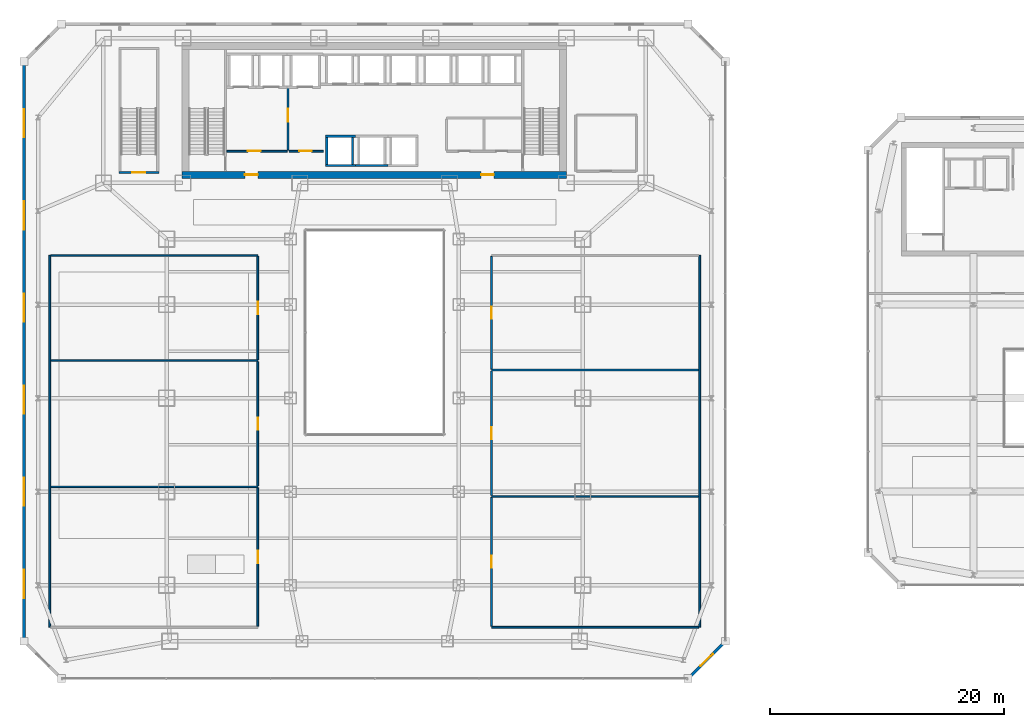
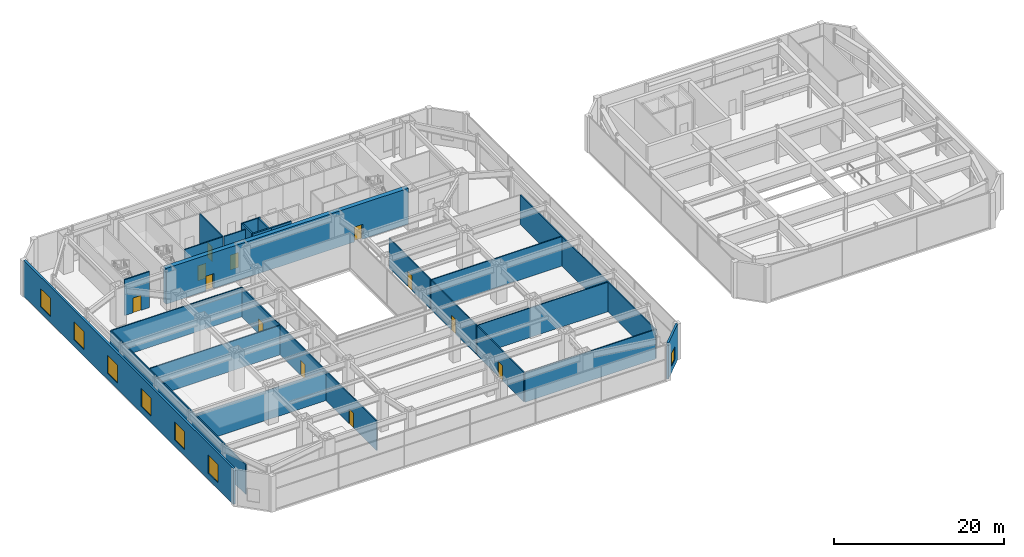
# One storey, part 43 of 53: 26 walls, 12 doors, 7 windows, 19 openings.
"""IFC4 building model written with IfcOpenShell, lengths in metres."""

from ifc_helpers import new_model, si_unit, direction, frame, frame_2d, origin, place, context, subcontext, project, spatial, rectangle, extrude, material, layer, layer_set, type_object, element, fill, save


model = new_model("IFC4")

# Units and contexts
model_context = context("Model", 3, precision=1e-05, world=origin(), true_north=direction((0.0, 1.0)))
body_context = subcontext(model_context, "Body", "Model", "MODEL_VIEW")
ifc_project = project(units=[si_unit("LENGTHUNIT", "METRE"), si_unit("AREAUNIT", "SQUARE_METRE"), si_unit("VOLUMEUNIT", "CUBIC_METRE"), si_unit("PLANEANGLEUNIT", "RADIAN"), si_unit("MASSUNIT", "GRAM", prefix="KILO")], contexts=[model_context])

# Site, building, storey
site_placement = place(None, origin())
site = spatial("IfcSite", under=ifc_project, at=site_placement, CompositionType="ELEMENT")
building_placement = place(site_placement, origin())
building = spatial("IfcBuilding", under=site, at=building_placement, Name="Saevonmaru Cultural Tower", CompositionType="ELEMENT")
storey_placement = place(building_placement, frame((0.0, 0.0, 22.199951171875)))
storey = spatial("IfcBuildingStorey", under=building, at=storey_placement, Name="L04", CompositionType="ELEMENT", Elevation=22.199951171875)

# Wall, openings, doors
ifc_material_1 = material(Name="Concrete C60/75", Category="concrete")
ifc_layer_1 = layer(ifc_material_1, 0.60009765625, Name="Concrete C60/75")
ifc_layer_set_1 = layer_set([ifc_layer_1], Name="Concrete C60/75")
wall_type_1 = type_object("IfcWallType", Name="WL-CORE-600", PredefinedType="SHEAR", material=ifc_layer_set_1)
wall_1_placement = place(storey_placement, frame((13.5, 43.10009765625, 0.0), z_axis=(0.0, 0.0, 1.0), x_axis=(1.0, 0.0, 0.0)))
wall_1 = element("IfcWall", 1, at=wall_1_placement, inside=storey, type_object=wall_type_1, Name="L04 Tower RC core shear wall S", PredefinedType="SHEAR", context=body_context, shape_type="SweptSolid", body=[
    extrude(rectangle(XDim=32.89990234375, YDim=0.60009765625, at=frame_2d((16.449951171875, 0.0))), origin(), (0.0, 0.0, 1.0), 5.150146484375),
])
opening_1_placement = place(wall_1_placement, frame((5.39990234375, 0.0, 0.0)))
opening_1 = element("IfcOpeningElement", 2, at=opening_1_placement, cuts=wall_1, Name="Opening FD-2", PredefinedType="OPENING", context=body_context, shape_type="SweptSolid", body=[
    extrude(rectangle(XDim=1.10009765625, YDim=2.14990234375, at=frame_2d((0.550048828125, 1.074951171875))), frame((0.0, 0.31005859375, 0.0), z_axis=(0.0, -1.0, 0.0), x_axis=(1.0, 0.0, 0.0)), (0.0, 0.0, 1.0), 0.6201171875),
])
opening_2_placement = place(wall_1_placement, frame((25.60009765625, 0.0, 0.0)))
opening_2 = element("IfcOpeningElement", 3, at=opening_2_placement, cuts=wall_1, Name="Opening FD-2", PredefinedType="OPENING", context=body_context, shape_type="SweptSolid", body=[
    extrude(rectangle(XDim=1.10009765625, YDim=2.14990234375, at=frame_2d((0.550048828125, 1.074951171875))), frame((0.0, 0.31005859375, 0.0), z_axis=(0.0, -1.0, 0.0), x_axis=(1.0, 0.0, 0.0)), (0.0, 0.0, 1.0), 0.6201171875),
])
ifc_material_2 = material(Name="Satin Bronze Anodised Aluminium", Category="aluminium")
door_type_1 = type_object("IfcDoorType", Name="DR-FD60-1100", OperationType="SINGLE_SWING_LEFT", PredefinedType="DOOR", material=ifc_material_2)
door_1_placement = place(opening_1_placement, origin())
door_1 = element("IfcDoor", 4, at=door_1_placement, inside=storey, type_object=door_type_1, Name="L04 Core West Lobby Fire Door", OperationType="SINGLE_SWING_LEFT", OverallHeight=2.14990234375, OverallWidth=1.10009765625, PredefinedType="DOOR", context=body_context, shape_type="SweptSolid", body=[
    extrude(rectangle(XDim=1.10009765625, YDim=2.14990234375, at=frame_2d((0.550048828125, 1.074951171875))), frame((0.0, 0.02490234375, 0.0), z_axis=(0.0, -1.0, 0.0), x_axis=(1.0, 0.0, 0.0)), (0.0, 0.0, 1.0), 0.050048828125),
])
fill(opening_1, door_1)
door_2_placement = place(opening_2_placement, origin())
door_2 = element("IfcDoor", 5, at=door_2_placement, inside=storey, type_object=door_type_1, Name="L04 Core East Lobby Fire Door", OperationType="SINGLE_SWING_LEFT", OverallHeight=2.14990234375, OverallWidth=1.10009765625, PredefinedType="DOOR", context=body_context, shape_type="SweptSolid", body=[
    extrude(rectangle(XDim=1.10009765625, YDim=2.14990234375, at=frame_2d((0.550048828125, 1.074951171875))), frame((0.0, 0.02490234375, 0.0), z_axis=(0.0, -1.0, 0.0), x_axis=(1.0, 0.0, 0.0)), (0.0, 0.0, 1.0), 0.050048828125),
])
fill(opening_2, door_2)

# Wall, opening, door
ifc_material_3 = material(Name="Gypsum Fireboard Partition", Category="gypsum")
ifc_layer_2 = layer(ifc_material_3, 0.14990234375, Name="Gypsum Fireboard Partition")
ifc_layer_set_2 = layer_set([ifc_layer_2], Name="Gypsum Fireboard Partition")
wall_type_2 = type_object("IfcWallType", Name="WL-CORE-PART-150", PredefinedType="PARTITIONING", material=ifc_layer_set_2)
wall_2_placement = place(storey_placement, frame((17.360107421875, 45.1201171875, 0.0), z_axis=(0.0, 0.0, 1.0), x_axis=(1.0, 0.0, 0.0)))
wall_2 = element("IfcWall", 6, at=wall_2_placement, inside=storey, type_object=wall_type_2, Name="L04 Firefighting Lift Lobby South Wall", PredefinedType="PARTITIONING", context=body_context, shape_type="SweptSolid", body=[
    extrude(rectangle(XDim=5.139892578125, YDim=0.14990234375, at=frame_2d((2.56982421875, 0.0))), origin(), (0.0, 0.0, 1.0), 5.150146484375),
])
opening_3_placement = place(wall_2_placement, frame((1.800048828125, 0.0, 0.0)))
opening_3 = element("IfcOpeningElement", 7, at=opening_3_placement, cuts=wall_2, Name="Opening FD-2", PredefinedType="OPENING", context=body_context, shape_type="SweptSolid", body=[
    extrude(rectangle(XDim=1.10009765625, YDim=2.14990234375, at=frame_2d((0.550048828125, 1.074951171875))), frame((0.0, 0.0849609375, 0.0), z_axis=(0.0, -1.0, 0.0), x_axis=(1.0, 0.0, 0.0)), (0.0, 0.0, 1.0), 0.169921875),
])
door_3_placement = place(opening_3_placement, origin())
door_3 = element("IfcDoor", 8, at=door_3_placement, inside=storey, type_object=door_type_1, Name="L04 Firefighting Lift Lobby South Door", OperationType="SINGLE_SWING_LEFT", OverallHeight=2.14990234375, OverallWidth=1.10009765625, PredefinedType="DOOR", context=body_context, shape_type="SweptSolid", body=[
    extrude(rectangle(XDim=1.10009765625, YDim=2.14990234375, at=frame_2d((0.550048828125, 1.074951171875))), frame((0.0, 0.02490234375, 0.0), z_axis=(0.0, -1.0, 0.0), x_axis=(1.0, 0.0, 0.0)), (0.0, 0.0, 1.0), 0.050048828125),
])
fill(opening_3, door_3)

wall_3_placement = place(storey_placement, frame((22.580078125, 50.550048828125, 0.0), z_axis=(0.0, 0.0, 1.0), x_axis=(0.0, -1.0, 0.0)))
wall_3 = element("IfcWall", 9, at=wall_3_placement, inside=storey, type_object=wall_type_2, Name="L04 Firefighting Lift Lobby East Wall", PredefinedType="PARTITIONING", context=body_context, shape_type="SweptSolid", body=[
    extrude(rectangle(XDim=5.330078125, YDim=0.14990234375, at=frame_2d((2.6650390625, 0.0))), origin(), (0.0, 0.0, 1.0), 5.150146484375),
])
opening_4_placement = place(wall_3_placement, frame((1.800048828125, 0.0, 0.0)))
opening_4 = element("IfcOpeningElement", 10, at=opening_4_placement, cuts=wall_3, Name="Opening FD-2", PredefinedType="OPENING", context=body_context, shape_type="SweptSolid", body=[
    extrude(rectangle(XDim=1.10009765625, YDim=2.14990234375, at=frame_2d((0.550048828125, 1.074951171875))), frame((0.0, 0.0849609375, 0.0), z_axis=(0.0, -1.0, 0.0), x_axis=(1.0, 0.0, 0.0)), (0.0, 0.0, 1.0), 0.169921875),
])
door_4_placement = place(opening_4_placement, origin())
door_4 = element("IfcDoor", 11, at=door_4_placement, inside=storey, type_object=door_type_1, Name="L04 Firefighting Lift Lobby East Door", OperationType="SINGLE_SWING_LEFT", OverallHeight=2.14990234375, OverallWidth=1.10009765625, PredefinedType="DOOR", context=body_context, shape_type="SweptSolid", body=[
    extrude(rectangle(XDim=1.10009765625, YDim=2.14990234375, at=frame_2d((0.550048828125, 1.074951171875))), frame((0.0, 0.02490234375, 0.0), z_axis=(0.0, -1.0, 0.0), x_axis=(1.0, 0.0, 0.0)), (0.0, 0.0, 1.0), 0.050048828125),
])
fill(opening_4, door_4)

wall_4_placement = place(storey_placement, frame((22.679931640625, 45.1201171875, 0.0), z_axis=(0.0, 0.0, 1.0), x_axis=(1.0, 0.0, 0.0)))
wall_4 = element("IfcWall", 12, at=wall_4_placement, inside=storey, type_object=wall_type_2, Name="L04 Service Lift Vestibule Wall", PredefinedType="PARTITIONING", context=body_context, shape_type="SweptSolid", body=[
    extrude(rectangle(XDim=2.920166015625, YDim=0.14990234375, at=frame_2d((1.4599609375, 0.0))), origin(), (0.0, 0.0, 1.0), 5.150146484375),
])
opening_5_placement = place(wall_4_placement, frame((0.85009765625, 0.0, 0.0)))
opening_5 = element("IfcOpeningElement", 13, at=opening_5_placement, cuts=wall_4, Name="Opening FD-2", PredefinedType="OPENING", context=body_context, shape_type="SweptSolid", body=[
    extrude(rectangle(XDim=1.10009765625, YDim=2.14990234375, at=frame_2d((0.550048828125, 1.074951171875))), frame((0.0, 0.0849609375, 0.0), z_axis=(0.0, -1.0, 0.0), x_axis=(1.0, 0.0, 0.0)), (0.0, 0.0, 1.0), 0.169921875),
])
door_5_placement = place(opening_5_placement, origin())
door_5 = element("IfcDoor", 14, at=door_5_placement, inside=storey, type_object=door_type_1, Name="L04 Service Lift Vestibule Door", OperationType="SINGLE_SWING_LEFT", OverallHeight=2.14990234375, OverallWidth=1.10009765625, PredefinedType="DOOR", context=body_context, shape_type="SweptSolid", body=[
    extrude(rectangle(XDim=1.10009765625, YDim=2.14990234375, at=frame_2d((0.550048828125, 1.074951171875))), frame((0.0, 0.02490234375, 0.0), z_axis=(0.0, -1.0, 0.0), x_axis=(1.0, 0.0, 0.0)), (0.0, 0.0, 1.0), 0.050048828125),
])
fill(opening_5, door_5)

# Wall, opening, window
ifc_material_4 = material(Name="Granite-Clad Precast Concrete C40/50", Category="masonry")
ifc_layer_3 = layer(ifc_material_4, 0.260009765625, Name="Granite-Clad Precast Concrete C40/50")
ifc_layer_set_3 = layer_set([ifc_layer_3], Name="Granite-Clad Precast Concrete C40/50")
wall_type_3 = type_object("IfcWallType", Name="WL-EXT-SPANDREL-260", PredefinedType="STANDARD", material=ifc_layer_set_3)
wall_5_placement = place(storey_placement, frame((56.9130859375, 0.113037109375, 0.0), z_axis=(0.0, 0.0, 1.0), x_axis=(0.707106781187, 0.707106781187, 0.0)))
wall_5 = element("IfcWall", 15, at=wall_5_placement, inside=storey, type_object=wall_type_3, Name="L04 Podium Bronze-Granite Exterior Wall E3", PredefinedType="STANDARD", context=body_context, shape_type="SweptSolid", body=[
    extrude(rectangle(XDim=4.205810546875, YDim=0.260009765625, at=frame_2d((2.10302734375, 0.0))), origin(), (0.0, 0.0, 1.0), 5.150146484375),
])
opening_6_placement = place(wall_5_placement, frame((1.35302734375, 0.0, 0.89990234375)))
opening_6 = element("IfcOpeningElement", 16, at=opening_6_placement, cuts=wall_5, Name="Opening W-2B", PredefinedType="OPENING", context=body_context, shape_type="SweptSolid", body=[
    extrude(rectangle(XDim=1.5, YDim=1.85009765625, at=frame_2d((0.75, 0.925048828125))), frame((0.0, 0.14013671875, 0.0), z_axis=(0.0, -1.0, 0.0), x_axis=(1.0, 0.0, 0.0)), (0.0, 0.0, 1.0), 0.280029296875),
])
window_type_1 = type_object("IfcWindowType", Name="WN-DECO-1500x1850", PartitioningType="SINGLE_PANEL", PredefinedType="WINDOW", material=ifc_material_2)
window_1_placement = place(opening_6_placement, origin())
window_1 = element("IfcWindow", 17, at=window_1_placement, inside=storey, type_object=window_type_1, Name="L04 Chamfer Bay Window E3", OverallHeight=1.85009765625, OverallWidth=1.5, PartitioningType="SINGLE_PANEL", PredefinedType="WINDOW", context=body_context, shape_type="SweptSolid", body=[
    extrude(rectangle(XDim=1.5, YDim=1.85009765625, at=frame_2d((0.75, 0.925048828125))), frame((0.0, 0.030029296875, 0.0), z_axis=(0.0, -1.0, 0.0), x_axis=(1.0, 0.0, 0.0)), (0.0, 0.0, 1.0), 0.06005859375),
])
fill(opening_6, window_1)

# Wall, openings, windows
ifc_layer_4 = layer(ifc_material_4, 0.280029296875, Name="Granite-Clad Precast Concrete C40/50")
ifc_layer_set_4 = layer_set([ifc_layer_4], Name="Granite-Clad Precast Concrete C40/50")
wall_type_4 = type_object("IfcWallType", Name="WL-EXT-SPANDREL-280", PredefinedType="STANDARD", material=ifc_layer_set_4)
wall_6_placement = place(storey_placement, frame((0.0, 52.639892578125, 0.0), z_axis=(0.0, 0.0, 1.0), x_axis=(0.0, -1.0, 0.0)))
wall_6 = element("IfcWall", 18, at=wall_6_placement, inside=storey, type_object=wall_type_4, Name="L04 Podium Bronze-Granite Exterior Wall E8", PredefinedType="STANDARD", context=body_context, shape_type="SweptSolid", body=[
    extrude(rectangle(XDim=49.27978515625, YDim=0.280029296875, at=frame_2d((24.639892578125, 0.0))), origin(), (0.0, 0.0, 1.0), 5.150146484375),
])
opening_7_placement = place(wall_6_placement, frame((3.93994140625, 0.0, 0.89990234375)))
opening_7 = element("IfcOpeningElement", 19, at=opening_7_placement, cuts=wall_6, Name="Opening W-1", PredefinedType="OPENING", context=body_context, shape_type="SweptSolid", body=[
    extrude(rectangle(XDim=2.39990234375, YDim=2.60009765625, at=frame_2d((1.199951171875, 1.300048828125))), frame((0.0, 0.14990234375, 0.0), z_axis=(0.0, -1.0, 0.0), x_axis=(1.0, 0.0, 0.0)), (0.0, 0.0, 1.0), 0.300048828125),
])
opening_8_placement = place(wall_6_placement, frame((11.820068359375, 0.0, 0.89990234375)))
opening_8 = element("IfcOpeningElement", 20, at=opening_8_placement, cuts=wall_6, Name="Opening W-1", PredefinedType="OPENING", context=body_context, shape_type="SweptSolid", body=[
    extrude(rectangle(XDim=2.39990234375, YDim=2.60009765625, at=frame_2d((1.199951171875, 1.300048828125))), frame((0.0, 0.14990234375, 0.0), z_axis=(0.0, -1.0, 0.0), x_axis=(1.0, 0.0, 0.0)), (0.0, 0.0, 1.0), 0.300048828125),
])
opening_9_placement = place(wall_6_placement, frame((19.699951171875, 0.0, 0.89990234375)))
opening_9 = element("IfcOpeningElement", 21, at=opening_9_placement, cuts=wall_6, Name="Opening W-1", PredefinedType="OPENING", context=body_context, shape_type="SweptSolid", body=[
    extrude(rectangle(XDim=2.39990234375, YDim=2.60009765625, at=frame_2d((1.199951171875, 1.300048828125))), frame((0.0, 0.14990234375, 0.0), z_axis=(0.0, -1.0, 0.0), x_axis=(1.0, 0.0, 0.0)), (0.0, 0.0, 1.0), 0.300048828125),
])
opening_10_placement = place(wall_6_placement, frame((27.580078125, 0.0, 0.89990234375)))
opening_10 = element("IfcOpeningElement", 22, at=opening_10_placement, cuts=wall_6, Name="Opening W-1", PredefinedType="OPENING", context=body_context, shape_type="SweptSolid", body=[
    extrude(rectangle(XDim=2.39990234375, YDim=2.60009765625, at=frame_2d((1.199951171875, 1.300048828125))), frame((0.0, 0.14990234375, 0.0), z_axis=(0.0, -1.0, 0.0), x_axis=(1.0, 0.0, 0.0)), (0.0, 0.0, 1.0), 0.300048828125),
])
opening_11_placement = place(wall_6_placement, frame((35.4599609375, 0.0, 0.89990234375)))
opening_11 = element("IfcOpeningElement", 23, at=opening_11_placement, cuts=wall_6, Name="Opening W-1", PredefinedType="OPENING", context=body_context, shape_type="SweptSolid", body=[
    extrude(rectangle(XDim=2.39990234375, YDim=2.60009765625, at=frame_2d((1.199951171875, 1.300048828125))), frame((0.0, 0.14990234375, 0.0), z_axis=(0.0, -1.0, 0.0), x_axis=(1.0, 0.0, 0.0)), (0.0, 0.0, 1.0), 0.300048828125),
])
opening_12_placement = place(wall_6_placement, frame((43.340087890625, 0.0, 0.89990234375)))
opening_12 = element("IfcOpeningElement", 24, at=opening_12_placement, cuts=wall_6, Name="Opening W-1", PredefinedType="OPENING", context=body_context, shape_type="SweptSolid", body=[
    extrude(rectangle(XDim=2.39990234375, YDim=2.60009765625, at=frame_2d((1.199951171875, 1.300048828125))), frame((0.0, 0.14990234375, 0.0), z_axis=(0.0, -1.0, 0.0), x_axis=(1.0, 0.0, 0.0)), (0.0, 0.0, 1.0), 0.300048828125),
])
window_type_2 = type_object("IfcWindowType", Name="WN-DECO-2400x2600", PartitioningType="DOUBLE_PANEL_VERTICAL", PredefinedType="WINDOW", material=ifc_material_2)
window_2_placement = place(opening_7_placement, origin())
window_2 = element("IfcWindow", 25, at=window_2_placement, inside=storey, type_object=window_type_2, Name="L04 Art Deco Bronze Window E8-1", OverallHeight=2.60009765625, OverallWidth=2.39990234375, PartitioningType="DOUBLE_PANEL_VERTICAL", PredefinedType="WINDOW", context=body_context, shape_type="SweptSolid", body=[
    extrude(rectangle(XDim=2.39990234375, YDim=2.60009765625, at=frame_2d((1.199951171875, 1.300048828125))), frame((0.0, 0.030029296875, 0.0), z_axis=(0.0, -1.0, 0.0), x_axis=(1.0, 0.0, 0.0)), (0.0, 0.0, 1.0), 0.06005859375),
])
fill(opening_7, window_2)
window_3_placement = place(opening_8_placement, origin())
window_3 = element("IfcWindow", 26, at=window_3_placement, inside=storey, type_object=window_type_2, Name="L04 Art Deco Bronze Window E8-2", OverallHeight=2.60009765625, OverallWidth=2.39990234375, PartitioningType="DOUBLE_PANEL_VERTICAL", PredefinedType="WINDOW", context=body_context, shape_type="SweptSolid", body=[
    extrude(rectangle(XDim=2.39990234375, YDim=2.60009765625, at=frame_2d((1.199951171875, 1.300048828125))), frame((0.0, 0.030029296875, 0.0), z_axis=(0.0, -1.0, 0.0), x_axis=(1.0, 0.0, 0.0)), (0.0, 0.0, 1.0), 0.06005859375),
])
fill(opening_8, window_3)
window_4_placement = place(opening_9_placement, origin())
window_4 = element("IfcWindow", 27, at=window_4_placement, inside=storey, type_object=window_type_2, Name="L04 Art Deco Bronze Window E8-3", OverallHeight=2.60009765625, OverallWidth=2.39990234375, PartitioningType="DOUBLE_PANEL_VERTICAL", PredefinedType="WINDOW", context=body_context, shape_type="SweptSolid", body=[
    extrude(rectangle(XDim=2.39990234375, YDim=2.60009765625, at=frame_2d((1.199951171875, 1.300048828125))), frame((0.0, 0.030029296875, 0.0), z_axis=(0.0, -1.0, 0.0), x_axis=(1.0, 0.0, 0.0)), (0.0, 0.0, 1.0), 0.06005859375),
])
fill(opening_9, window_4)
window_5_placement = place(opening_10_placement, origin())
window_5 = element("IfcWindow", 28, at=window_5_placement, inside=storey, type_object=window_type_2, Name="L04 Art Deco Bronze Window E8-4", OverallHeight=2.60009765625, OverallWidth=2.39990234375, PartitioningType="DOUBLE_PANEL_VERTICAL", PredefinedType="WINDOW", context=body_context, shape_type="SweptSolid", body=[
    extrude(rectangle(XDim=2.39990234375, YDim=2.60009765625, at=frame_2d((1.199951171875, 1.300048828125))), frame((0.0, 0.030029296875, 0.0), z_axis=(0.0, -1.0, 0.0), x_axis=(1.0, 0.0, 0.0)), (0.0, 0.0, 1.0), 0.06005859375),
])
fill(opening_10, window_5)
window_6_placement = place(opening_11_placement, origin())
window_6 = element("IfcWindow", 29, at=window_6_placement, inside=storey, type_object=window_type_2, Name="L04 Art Deco Bronze Window E8-5", OverallHeight=2.60009765625, OverallWidth=2.39990234375, PartitioningType="DOUBLE_PANEL_VERTICAL", PredefinedType="WINDOW", context=body_context, shape_type="SweptSolid", body=[
    extrude(rectangle(XDim=2.39990234375, YDim=2.60009765625, at=frame_2d((1.199951171875, 1.300048828125))), frame((0.0, 0.030029296875, 0.0), z_axis=(0.0, -1.0, 0.0), x_axis=(1.0, 0.0, 0.0)), (0.0, 0.0, 1.0), 0.06005859375),
])
fill(opening_11, window_6)
window_7_placement = place(opening_12_placement, origin())
window_7 = element("IfcWindow", 30, at=window_7_placement, inside=storey, type_object=window_type_2, Name="L04 Art Deco Bronze Window E8-6", OverallHeight=2.60009765625, OverallWidth=2.39990234375, PartitioningType="DOUBLE_PANEL_VERTICAL", PredefinedType="WINDOW", context=body_context, shape_type="SweptSolid", body=[
    extrude(rectangle(XDim=2.39990234375, YDim=2.60009765625, at=frame_2d((1.199951171875, 1.300048828125))), frame((0.0, 0.030029296875, 0.0), z_axis=(0.0, -1.0, 0.0), x_axis=(1.0, 0.0, 0.0)), (0.0, 0.0, 1.0), 0.06005859375),
])
fill(opening_12, window_7)

# Wall
ifc_layer_5 = layer(ifc_material_3, 0.14990234375, Name="Gypsum Fireboard Partition")
ifc_layer_set_5 = layer_set([ifc_layer_5], Name="Gypsum Fireboard Partition")
wall_type_5 = type_object("IfcWallType", Name="WL-PART-FIRE-150", PredefinedType="PARTITIONING", material=ifc_layer_set_5)
wall_7_placement = place(storey_placement, frame((2.199951171875, 4.39990234375, 0.0), z_axis=(0.0, 0.0, 1.0), x_axis=(0.0, 1.0, 0.0)))
element("IfcWall", 31, at=wall_7_placement, inside=storey, type_object=wall_type_5, Name="L04 West Museum Back Wall", PredefinedType="PARTITIONING", context=body_context, shape_type="SweptSolid", body=[
    extrude(rectangle(XDim=31.800048828125, YDim=0.14990234375, at=frame_2d((15.89990234375, 0.0))), origin(), (0.0, 0.0, 1.0), 4.235107421875),
])

# Wall, opening, door
wall_8_placement = place(storey_placement, frame((20.0, 4.487548828125, 0.0), z_axis=(0.0, 0.0, 1.0), x_axis=(0.0, 1.0, 0.0)))
wall_8 = element("IfcWall", 32, at=wall_8_placement, inside=storey, type_object=wall_type_5, Name="L04 Permanent Celadon Ceramics Gallery East Wall", PredefinedType="PARTITIONING", context=body_context, shape_type="SweptSolid", body=[
    extrude(rectangle(XDim=11.824951171875, YDim=0.14990234375, at=frame_2d((5.91259765625, 0.0))), origin(), (0.0, 0.0, 1.0), 4.235107421875),
])
opening_13_placement = place(wall_8_placement, frame((5.386962890625, 0.0, 0.0)))
opening_13 = element("IfcOpeningElement", 33, at=opening_13_placement, cuts=wall_8, Name="Opening ID-1", PredefinedType="OPENING", context=body_context, shape_type="SweptSolid", body=[
    extrude(rectangle(XDim=1.050048828125, YDim=2.14990234375, at=frame_2d((0.52490234375, 1.074951171875))), frame((0.0, 0.0849609375, 0.0), z_axis=(0.0, -1.0, 0.0), x_axis=(1.0, 0.0, 0.0)), (0.0, 0.0, 1.0), 0.169921875),
])
door_type_2 = type_object("IfcDoorType", Name="DR-INT-1050", OperationType="SINGLE_SWING_LEFT", PredefinedType="DOOR", material=ifc_material_2)
door_6_placement = place(opening_13_placement, origin())
door_6 = element("IfcDoor", 34, at=door_6_placement, inside=storey, type_object=door_type_2, Name="L04 Permanent Celadon Ceramics Gallery Door", OperationType="SINGLE_SWING_RIGHT", OverallHeight=2.14990234375, OverallWidth=1.050048828125, PredefinedType="DOOR", context=body_context, shape_type="SweptSolid", body=[
    extrude(rectangle(XDim=1.050048828125, YDim=2.14990234375, at=frame_2d((0.52490234375, 1.074951171875))), frame((0.0, 0.02490234375, 0.0), z_axis=(0.0, -1.0, 0.0), x_axis=(1.0, 0.0, 0.0)), (0.0, 0.0, 1.0), 0.050048828125),
])
fill(opening_13, door_6)

wall_9_placement = place(storey_placement, frame((20.0, 16.487548828125, 0.0), z_axis=(0.0, 0.0, 1.0), x_axis=(0.0, 1.0, 0.0)))
wall_9 = element("IfcWall", 35, at=wall_9_placement, inside=storey, type_object=wall_type_5, Name="L04 Modern Korean Ink Painting Gallery East Wall", PredefinedType="PARTITIONING", context=body_context, shape_type="SweptSolid", body=[
    extrude(rectangle(XDim=10.625, YDim=0.14990234375, at=frame_2d((5.3125, 0.0))), origin(), (0.0, 0.0, 1.0), 4.235107421875),
])
opening_14_placement = place(wall_9_placement, frame((4.787109375, 0.0, 0.0)))
opening_14 = element("IfcOpeningElement", 36, at=opening_14_placement, cuts=wall_9, Name="Opening ID-1", PredefinedType="OPENING", context=body_context, shape_type="SweptSolid", body=[
    extrude(rectangle(XDim=1.050048828125, YDim=2.14990234375, at=frame_2d((0.52490234375, 1.074951171875))), frame((0.0, 0.0849609375, 0.0), z_axis=(0.0, -1.0, 0.0), x_axis=(1.0, 0.0, 0.0)), (0.0, 0.0, 1.0), 0.169921875),
])
door_7_placement = place(opening_14_placement, origin())
door_7 = element("IfcDoor", 37, at=door_7_placement, inside=storey, type_object=door_type_2, Name="L04 Modern Korean Ink Painting Gallery Door", OperationType="SINGLE_SWING_LEFT", OverallHeight=2.14990234375, OverallWidth=1.050048828125, PredefinedType="DOOR", context=body_context, shape_type="SweptSolid", body=[
    extrude(rectangle(XDim=1.050048828125, YDim=2.14990234375, at=frame_2d((0.52490234375, 1.074951171875))), frame((0.0, 0.02490234375, 0.0), z_axis=(0.0, -1.0, 0.0), x_axis=(1.0, 0.0, 0.0)), (0.0, 0.0, 1.0), 0.050048828125),
])
fill(opening_14, door_7)

wall_10_placement = place(storey_placement, frame((20.0, 27.28759765625, 0.0), z_axis=(0.0, 0.0, 1.0), x_axis=(0.0, 1.0, 0.0)))
wall_10 = element("IfcWall", 38, at=wall_10_placement, inside=storey, type_object=wall_type_5, Name="L04 Decorative Bronze Arts Gallery East Wall", PredefinedType="PARTITIONING", context=body_context, shape_type="SweptSolid", body=[
    extrude(rectangle(XDim=8.824951171875, YDim=0.14990234375, at=frame_2d((4.41259765625, 0.0))), origin(), (0.0, 0.0, 1.0), 4.235107421875),
])
opening_15_placement = place(wall_10_placement, frame((3.886962890625, 0.0, 0.0)))
opening_15 = element("IfcOpeningElement", 39, at=opening_15_placement, cuts=wall_10, Name="Opening ID-1", PredefinedType="OPENING", context=body_context, shape_type="SweptSolid", body=[
    extrude(rectangle(XDim=1.050048828125, YDim=2.14990234375, at=frame_2d((0.52490234375, 1.074951171875))), frame((0.0, 0.0849609375, 0.0), z_axis=(0.0, -1.0, 0.0), x_axis=(1.0, 0.0, 0.0)), (0.0, 0.0, 1.0), 0.169921875),
])
door_8_placement = place(opening_15_placement, origin())
door_8 = element("IfcDoor", 40, at=door_8_placement, inside=storey, type_object=door_type_2, Name="L04 Decorative Bronze Arts Gallery Door", OperationType="SINGLE_SWING_RIGHT", OverallHeight=2.14990234375, OverallWidth=1.050048828125, PredefinedType="DOOR", context=body_context, shape_type="SweptSolid", body=[
    extrude(rectangle(XDim=1.050048828125, YDim=2.14990234375, at=frame_2d((0.52490234375, 1.074951171875))), frame((0.0, 0.02490234375, 0.0), z_axis=(0.0, -1.0, 0.0), x_axis=(1.0, 0.0, 0.0)), (0.0, 0.0, 1.0), 0.050048828125),
])
fill(opening_15, door_8)

# Wall
wall_11_placement = place(storey_placement, frame((57.800048828125, 4.39990234375, 0.0), z_axis=(0.0, 0.0, 1.0), x_axis=(0.0, 1.0, 0.0)))
element("IfcWall", 41, at=wall_11_placement, inside=storey, type_object=wall_type_5, Name="L04 East Museum Back Wall", PredefinedType="PARTITIONING", context=body_context, shape_type="SweptSolid", body=[
    extrude(rectangle(XDim=31.800048828125, YDim=0.14990234375, at=frame_2d((15.89990234375, 0.0))), origin(), (0.0, 0.0, 1.0), 4.235107421875),
])

# Wall, opening, door
wall_12_placement = place(storey_placement, frame((40.0, 4.487548828125, 0.0), z_axis=(0.0, 0.0, 1.0), x_axis=(0.0, 1.0, 0.0)))
wall_12 = element("IfcWall", 42, at=wall_12_placement, inside=storey, type_object=wall_type_5, Name="L04 Architectural Design Lecture Room West Wall", PredefinedType="PARTITIONING", context=body_context, shape_type="SweptSolid", body=[
    extrude(rectangle(XDim=11.02490234375, YDim=0.14990234375, at=frame_2d((5.512451171875, 0.0))), origin(), (0.0, 0.0, 1.0), 4.235107421875),
])
opening_16_placement = place(wall_12_placement, frame((4.987060546875, 0.0, 0.0)))
opening_16 = element("IfcOpeningElement", 43, at=opening_16_placement, cuts=wall_12, Name="Opening ID-1", PredefinedType="OPENING", context=body_context, shape_type="SweptSolid", body=[
    extrude(rectangle(XDim=1.050048828125, YDim=2.14990234375, at=frame_2d((0.52490234375, 1.074951171875))), frame((0.0, 0.0849609375, 0.0), z_axis=(0.0, -1.0, 0.0), x_axis=(1.0, 0.0, 0.0)), (0.0, 0.0, 1.0), 0.169921875),
])
door_9_placement = place(opening_16_placement, origin())
door_9 = element("IfcDoor", 44, at=door_9_placement, inside=storey, type_object=door_type_2, Name="L04 Architectural Design Lecture Room Door", OperationType="SINGLE_SWING_LEFT", OverallHeight=2.14990234375, OverallWidth=1.050048828125, PredefinedType="DOOR", context=body_context, shape_type="SweptSolid", body=[
    extrude(rectangle(XDim=1.050048828125, YDim=2.14990234375, at=frame_2d((0.52490234375, 1.074951171875))), frame((0.0, 0.02490234375, 0.0), z_axis=(0.0, -1.0, 0.0), x_axis=(1.0, 0.0, 0.0)), (0.0, 0.0, 1.0), 0.050048828125),
])
fill(opening_16, door_9)

wall_13_placement = place(storey_placement, frame((40.0, 15.6875, 0.0), z_axis=(0.0, 0.0, 1.0), x_axis=(0.0, 1.0, 0.0)))
wall_13 = element("IfcWall", 45, at=wall_13_placement, inside=storey, type_object=wall_type_5, Name="L04 Curatorial Conservation Studio West Wall", PredefinedType="PARTITIONING", context=body_context, shape_type="SweptSolid", body=[
    extrude(rectangle(XDim=10.625, YDim=0.14990234375, at=frame_2d((5.3125, 0.0))), origin(), (0.0, 0.0, 1.0), 4.235107421875),
])
opening_17_placement = place(wall_13_placement, frame((4.787109375, 0.0, 0.0)))
opening_17 = element("IfcOpeningElement", 46, at=opening_17_placement, cuts=wall_13, Name="Opening ID-1", PredefinedType="OPENING", context=body_context, shape_type="SweptSolid", body=[
    extrude(rectangle(XDim=1.050048828125, YDim=2.14990234375, at=frame_2d((0.52490234375, 1.074951171875))), frame((0.0, 0.0849609375, 0.0), z_axis=(0.0, -1.0, 0.0), x_axis=(1.0, 0.0, 0.0)), (0.0, 0.0, 1.0), 0.169921875),
])
door_10_placement = place(opening_17_placement, origin())
door_10 = element("IfcDoor", 47, at=door_10_placement, inside=storey, type_object=door_type_2, Name="L04 Curatorial Conservation Studio Door", OperationType="SINGLE_SWING_RIGHT", OverallHeight=2.14990234375, OverallWidth=1.050048828125, PredefinedType="DOOR", context=body_context, shape_type="SweptSolid", body=[
    extrude(rectangle(XDim=1.050048828125, YDim=2.14990234375, at=frame_2d((0.52490234375, 1.074951171875))), frame((0.0, 0.02490234375, 0.0), z_axis=(0.0, -1.0, 0.0), x_axis=(1.0, 0.0, 0.0)), (0.0, 0.0, 1.0), 0.050048828125),
])
fill(opening_17, door_10)

wall_14_placement = place(storey_placement, frame((40.0, 26.487548828125, 0.0), z_axis=(0.0, 0.0, 1.0), x_axis=(0.0, 1.0, 0.0)))
wall_14 = element("IfcWall", 48, at=wall_14_placement, inside=storey, type_object=wall_type_5, Name="L04 Contemporary Tapestry Exhibition Gallery West Wall", PredefinedType="PARTITIONING", context=body_context, shape_type="SweptSolid", body=[
    extrude(rectangle(XDim=9.625, YDim=0.14990234375, at=frame_2d((4.8125, 0.0))), origin(), (0.0, 0.0, 1.0), 4.235107421875),
])
opening_18_placement = place(wall_14_placement, frame((4.287109375, 0.0, 0.0)))
opening_18 = element("IfcOpeningElement", 49, at=opening_18_placement, cuts=wall_14, Name="Opening ID-1", PredefinedType="OPENING", context=body_context, shape_type="SweptSolid", body=[
    extrude(rectangle(XDim=1.050048828125, YDim=2.14990234375, at=frame_2d((0.52490234375, 1.074951171875))), frame((0.0, 0.0849609375, 0.0), z_axis=(0.0, -1.0, 0.0), x_axis=(1.0, 0.0, 0.0)), (0.0, 0.0, 1.0), 0.169921875),
])
door_11_placement = place(opening_18_placement, origin())
door_11 = element("IfcDoor", 50, at=door_11_placement, inside=storey, type_object=door_type_2, Name="L04 Contemporary Tapestry Exhibition Gallery Door", OperationType="SINGLE_SWING_LEFT", OverallHeight=2.14990234375, OverallWidth=1.050048828125, PredefinedType="DOOR", context=body_context, shape_type="SweptSolid", body=[
    extrude(rectangle(XDim=1.050048828125, YDim=2.14990234375, at=frame_2d((0.52490234375, 1.074951171875))), frame((0.0, 0.02490234375, 0.0), z_axis=(0.0, -1.0, 0.0), x_axis=(1.0, 0.0, 0.0)), (0.0, 0.0, 1.0), 0.050048828125),
])
fill(opening_18, door_11)

# Walls
ifc_layer_6 = layer(ifc_material_3, 0.135009765625, Name="Gypsum Fireboard Partition")
ifc_layer_set_6 = layer_set([ifc_layer_6], Name="Gypsum Fireboard Partition")
wall_type_6 = type_object("IfcWallType", Name="WL-PART-GYP-135", PredefinedType="PARTITIONING", material=ifc_layer_set_6)
for number, where, z_axis, x_axis, name in (
    (51, (2.294921875, 16.39990234375, 0.0), (0.0, 0.0, 1.0), (1.0, 0.0, 0.0), "L04 West Gallery Split 16.4"),
    (52, (2.294921875, 27.199951171875, 0.0), (0.0, 0.0, 1.0), (1.0, 0.0, 0.0), "L04 West Gallery Split 27.2"),
    (53, (2.294921875, 36.199951171875, 0.0), (0.0, 0.0, 1.0), (1.0, 0.0, 0.0), "L04 West Gallery Split 36.2"),
    (54, (40.0, 4.39990234375, 0.0), (0.0, 0.0, 1.0), (1.0, 0.0, 0.0), "L04 East Suite Split 4.4"),
    (55, (40.0, 15.60009765625, 0.0), (0.0, 0.0, 1.0), (1.0, 0.0, 0.0), "L04 East Suite Split 15.6"),
    (56, (40.0, 26.39990234375, 0.0), (0.0, 0.0, 1.0), (1.0, 0.0, 0.0), "L04 East Suite Split 26.4"),
):
    element("IfcWall", number, at=place(storey_placement, frame(where, z_axis=z_axis, x_axis=x_axis)), inside=storey, type_object=wall_type_6, Name=name, PredefinedType="PARTITIONING", context=body_context, shape_type="SweptSolid", body=[
        extrude(rectangle(XDim=17.705078125, YDim=0.135009765625, at=frame_2d((8.8525390625, 0.0))), origin(), (0.0, 0.0, 1.0), 4.235107421875),
    ])
ifc_material_5 = material(Name="Concrete C40/50", Category="concrete")
ifc_layer_7 = layer(ifc_material_5, 0.199951171875, Name="Concrete C40/50")
ifc_layer_set_7 = layer_set([ifc_layer_7], Name="Concrete C40/50")
wall_type_7 = type_object("IfcWallType", Name="WL-SHAFT-200", PredefinedType="SHEAR", material=ifc_layer_set_7)
for number, where, z_axis, x_axis, name in (
    (57, (25.800048828125, 43.89990234375, 0.0), (0.0, 0.0, 1.0), (1.0, 0.0, 0.0), "L04 Lift PL-M1 Hoistway Wall S"),
    (58, (25.800048828125, 46.39990234375, 0.0), (0.0, 0.0, 1.0), (1.0, 0.0, 0.0), "L04 Lift PL-M1 Hoistway Wall N"),
):
    element("IfcWall", number, at=place(storey_placement, frame(where, z_axis=z_axis, x_axis=x_axis)), inside=storey, type_object=wall_type_7, Name=name, PredefinedType="SHEAR", context=body_context, shape_type="SweptSolid", body=[
        extrude(rectangle(XDim=2.574951171875, YDim=0.199951171875, at=frame_2d((1.28759765625, 0.0))), origin(), (0.0, 0.0, 1.0), 5.150146484375),
    ])
for number, where, z_axis, x_axis, name in (
    (59, (25.89990234375, 44.0, 0.0), (0.0, 0.0, 1.0), (0.0, 1.0, 0.0), "L04 Lift PL-M1 Hoistway Wall W"),
    (60, (28.10009765625, 44.0, 0.0), (0.0, 0.0, 1.0), (0.0, 1.0, 0.0), "L04 Lift PL-M1 Hoistway Wall E"),
):
    element("IfcWall", number, at=place(storey_placement, frame(where, z_axis=z_axis, x_axis=x_axis)), inside=storey, type_object=wall_type_7, Name=name, PredefinedType="SHEAR", context=body_context, shape_type="SweptSolid", body=[
        extrude(rectangle(XDim=2.300048828125, YDim=0.199951171875, at=frame_2d((1.14990234375, 0.0))), origin(), (0.0, 0.0, 1.0), 5.150146484375),
    ])
wall_15_placement = place(storey_placement, frame((28.375, 43.89990234375, 0.0), z_axis=(0.0, 0.0, 1.0), x_axis=(1.0, 0.0, 0.0)))
element("IfcWall", 61, at=wall_15_placement, inside=storey, type_object=wall_type_7, Name="L04 Lift PL-M2 Hoistway Wall S", PredefinedType="SHEAR", context=body_context, shape_type="SweptSolid", body=[
    extrude(rectangle(XDim=2.75, YDim=0.199951171875, at=frame_2d((1.375, 0.0))), origin(), (0.0, 0.0, 1.0), 5.150146484375),
])

# Wall, opening, door
ifc_layer_8 = layer(ifc_material_5, 0.179931640625, Name="Concrete C40/50")
ifc_layer_set_8 = layer_set([ifc_layer_8], Name="Concrete C40/50")
wall_type_8 = type_object("IfcWallType", Name="WL-STSHAFT-180", PredefinedType="SHEAR", material=ifc_layer_set_8)
wall_16_placement = place(storey_placement, frame((8.1201171875, 43.31005859375, 0.0), z_axis=(0.0, 0.0, 1.0), x_axis=(1.0, 0.0, 0.0)))
wall_16 = element("IfcWall", 62, at=wall_16_placement, inside=storey, type_object=wall_type_8, Name="L04 Stair ST-3 Structural Shaft Wall 1", PredefinedType="SHEAR", context=body_context, shape_type="SweptSolid", body=[
    extrude(rectangle(XDim=3.409912109375, YDim=0.179931640625, at=frame_2d((1.705078125, 0.0))), origin(), (0.0, 0.0, 1.0), 5.150146484375),
])
opening_19_placement = place(wall_16_placement, frame((1.14990234375, 0.0, 0.0)))
opening_19 = element("IfcOpeningElement", 63, at=opening_19_placement, cuts=wall_16, Name="Opening FD-2", PredefinedType="OPENING", context=body_context, shape_type="SweptSolid", body=[
    extrude(rectangle(XDim=1.10009765625, YDim=2.14990234375, at=frame_2d((0.550048828125, 1.074951171875))), frame((0.0, 0.10009765625, 0.0), z_axis=(0.0, -1.0, 0.0), x_axis=(1.0, 0.0, 0.0)), (0.0, 0.0, 1.0), 0.199951171875),
])
door_12_placement = place(opening_19_placement, origin())
door_12 = element("IfcDoor", 64, at=door_12_placement, inside=storey, type_object=door_type_1, Name="L04 Protected Stair ST-3 Fire Door", OperationType="SINGLE_SWING_LEFT", OverallHeight=2.14990234375, OverallWidth=1.10009765625, PredefinedType="DOOR", context=body_context, shape_type="SweptSolid", body=[
    extrude(rectangle(XDim=1.10009765625, YDim=2.14990234375, at=frame_2d((0.550048828125, 1.074951171875))), frame((0.0, 0.02490234375, 0.0), z_axis=(0.0, -1.0, 0.0), x_axis=(1.0, 0.0, 0.0)), (0.0, 0.0, 1.0), 0.050048828125),
])
fill(opening_19, door_12)

save(model, "model.ifc")
